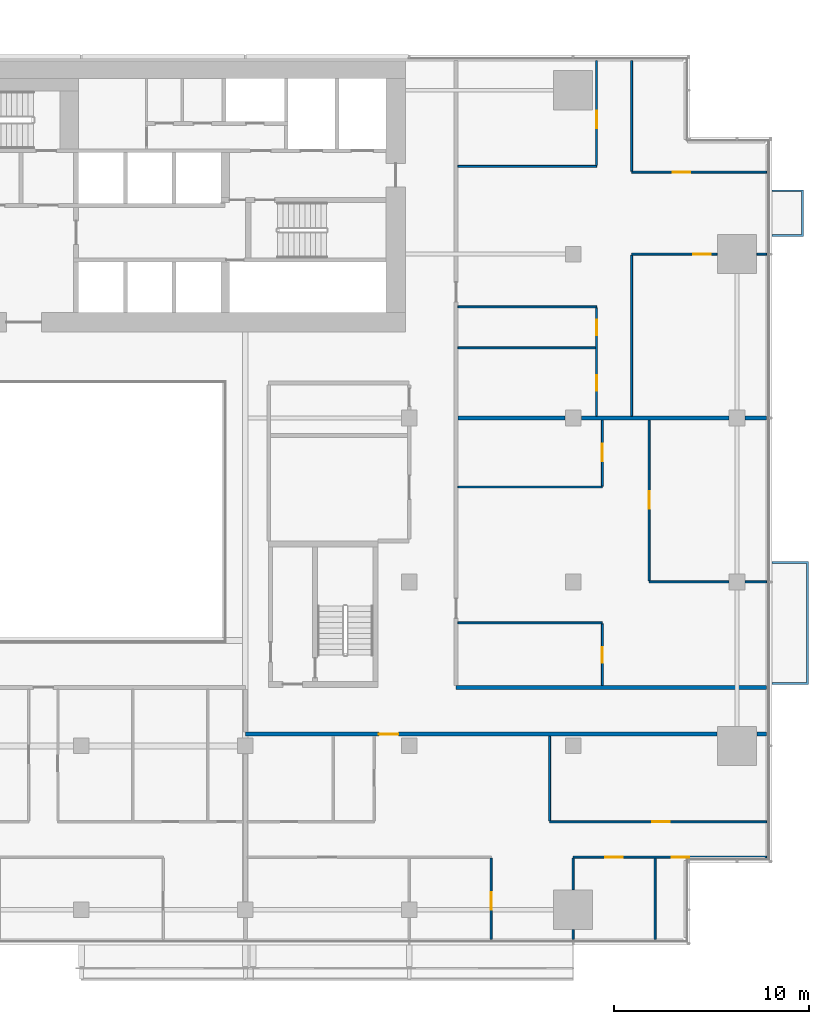
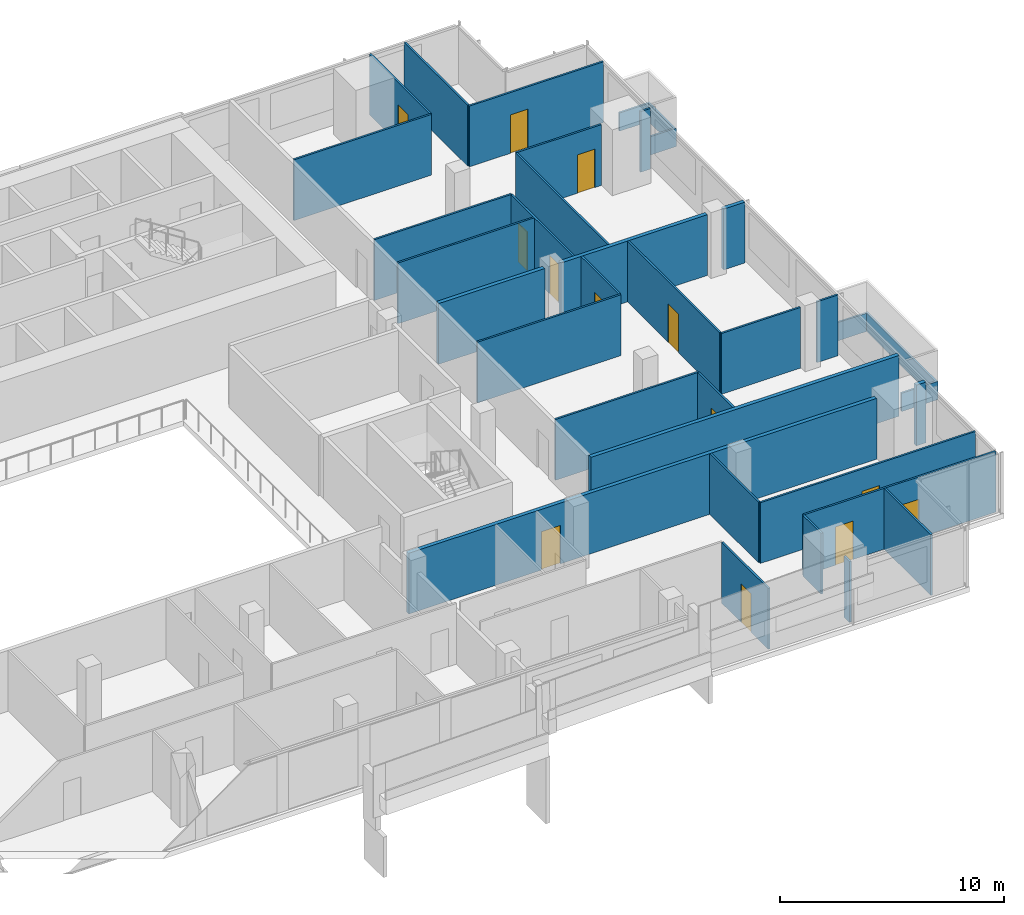
# One storey, part 23 of 27: 32 walls, 13 doors, 13 openings.
"""IFC4 building model written with IfcOpenShell, lengths in metres."""

from ifc_helpers import new_model, si_unit, direction, frame, frame_2d, origin, place, context, subcontext, project, spatial, polyline, rectangle, outline, extrude, material, layer, layer_set, type_object, element, fill, save


model = new_model("IFC4")

# Units and contexts
model_context = context("Model", 3, precision=1e-05, world=origin(), true_north=direction((0.0, 1.0)))
body_context = subcontext(model_context, "Body", "Model", "MODEL_VIEW")
ifc_project = project(units=[si_unit("LENGTHUNIT", "METRE"), si_unit("AREAUNIT", "SQUARE_METRE"), si_unit("VOLUMEUNIT", "CUBIC_METRE"), si_unit("PLANEANGLEUNIT", "RADIAN"), si_unit("MASSUNIT", "GRAM", prefix="KILO")], contexts=[model_context])

# Site, building, storey
site_placement = place(None, origin())
site = spatial("IfcSite", under=ifc_project, at=site_placement, CompositionType="ELEMENT")
building_placement = place(site_placement, origin())
building = spatial("IfcBuilding", under=site, at=building_placement, Name="Saffron Gate Tower", CompositionType="ELEMENT")
storey_placement = place(building_placement, frame((0.0, 0.0, 124.050048828125)))
storey = spatial("IfcBuildingStorey", under=building, at=storey_placement, Name="L29", CompositionType="ELEMENT", Elevation=124.050048828125)

# Wall, openings, doors
ifc_material_1 = material(Name="Plasterboard on steel studs", Category="steel")
ifc_layer_1 = layer(ifc_material_1, 0.10009765625)
ifc_layer_set_1 = layer_set([ifc_layer_1], Name="PW1 Partition 100")
wall_type_1 = type_object("IfcWallType", Name="PW1 Partition 100", PredefinedType="PARTITIONING", material=ifc_layer_set_1)
wall_1_placement = place(storey_placement, frame((126.919921875, 34.5, 0.0), z_axis=(0.0, 0.0, 1.0), x_axis=(-1.0, 0.0, 0.0)))
wall_1 = element("IfcWall", 1, at=wall_1_placement, inside=storey, type_object=wall_type_1, Name="Partition B3-4", PredefinedType="PARTITIONING", context=body_context, shape_type="SweptSolid", body=[
    extrude(rectangle(XDim=9.919921875, YDim=0.10009765625, at=frame_2d((4.9599609375, 0.0))), origin(), (0.0, 0.0, 1.0), 3.320068359375),
])
opening_1_placement = place(wall_1_placement, frame((3.96630859375, 0.0, 0.0)))
opening_1 = element("IfcOpeningElement", 2, at=opening_1_placement, cuts=wall_1, Name="Opening B3-20", PredefinedType="OPENING", context=body_context, shape_type="SweptSolid", body=[
    extrude(rectangle(XDim=0.89990234375, YDim=2.10009765625, at=frame_2d((0.449951171875, 1.050048828125))), frame((0.0, 0.06005859375, 0.0), z_axis=(0.0, -1.0, 0.0), x_axis=(1.0, 0.0, 0.0)), (0.0, 0.0, 1.0), 0.1201171875),
])
opening_2_placement = place(wall_1_placement, frame((7.3701171875, 0.0, 0.0)))
opening_2 = element("IfcOpeningElement", 3, at=opening_2_placement, cuts=wall_1, Name="Opening B3-19", PredefinedType="OPENING", context=body_context, shape_type="SweptSolid", body=[
    extrude(rectangle(XDim=0.89990234375, YDim=2.10009765625, at=frame_2d((0.449951171875, 1.050048828125))), frame((0.0, 0.06005859375, 0.0), z_axis=(0.0, -1.0, 0.0), x_axis=(1.0, 0.0, 0.0)), (0.0, 0.0, 1.0), 0.1201171875),
])
ifc_material_2 = material(Name="Timber door set", Category="wood")
door_type_1 = type_object("IfcDoorType", Name="RD1 Room door 900x2100", OperationType="NOTDEFINED", PredefinedType="DOOR", material=ifc_material_2)
door_1_placement = place(opening_1_placement, origin())
door_1 = element("IfcDoor", 4, at=door_1_placement, inside=storey, type_object=door_type_1, Name="Door B3-20", OperationType="SINGLE_SWING_RIGHT", OverallHeight=2.10009765625, OverallWidth=0.89990234375, PredefinedType="DOOR", context=body_context, shape_type="SweptSolid", body=[
    extrude(rectangle(XDim=0.89990234375, YDim=2.10009765625, at=frame_2d((0.449951171875, 1.050048828125))), frame((0.0, 0.02490234375, 0.0), z_axis=(0.0, -1.0, 0.0), x_axis=(1.0, 0.0, 0.0)), (0.0, 0.0, 1.0), 0.050048828125),
])
fill(opening_1, door_1)
door_2_placement = place(opening_2_placement, origin())
door_2 = element("IfcDoor", 5, at=door_2_placement, inside=storey, type_object=door_type_1, Name="Door B3-19", OperationType="SINGLE_SWING_RIGHT", OverallHeight=2.10009765625, OverallWidth=0.89990234375, PredefinedType="DOOR", context=body_context, shape_type="SweptSolid", body=[
    extrude(rectangle(XDim=0.89990234375, YDim=2.10009765625, at=frame_2d((0.449951171875, 1.050048828125))), frame((0.0, 0.02490234375, 0.0), z_axis=(0.0, -1.0, 0.0), x_axis=(1.0, 0.0, 0.0)), (0.0, 0.0, 1.0), 0.050048828125),
])
fill(opening_2, door_2)

# Wall, opening, door
wall_2_placement = place(storey_placement, frame((115.800048828125, 36.300048828125, 0.0), z_axis=(0.0, 0.0, 1.0), x_axis=(1.0, 0.0, 0.0)))
wall_2 = element("IfcWall", 6, at=wall_2_placement, inside=storey, type_object=wall_type_1, Name="Partition B3-8", PredefinedType="PARTITIONING", context=body_context, shape_type="SweptSolid", body=[
    extrude(rectangle(XDim=11.119873046875, YDim=0.10009765625, at=frame_2d((5.56005859375, 0.0))), origin(), (0.0, 0.0, 1.0), 3.320068359375),
])
opening_3_placement = place(wall_2_placement, frame((5.25, 0.0, 0.0)))
opening_3 = element("IfcOpeningElement", 7, at=opening_3_placement, cuts=wall_2, Name="Opening B3-21", PredefinedType="OPENING", context=body_context, shape_type="SweptSolid", body=[
    extrude(rectangle(XDim=0.89990234375, YDim=2.10009765625, at=frame_2d((0.449951171875, 1.050048828125))), frame((0.0, 0.06005859375, 0.0), z_axis=(0.0, -1.0, 0.0), x_axis=(1.0, 0.0, 0.0)), (0.0, 0.0, 1.0), 0.1201171875),
])
door_3_placement = place(opening_3_placement, origin())
door_3 = element("IfcDoor", 8, at=door_3_placement, inside=storey, type_object=door_type_1, Name="Door B3-21", OperationType="SINGLE_SWING_RIGHT", OverallHeight=2.10009765625, OverallWidth=0.89990234375, PredefinedType="DOOR", context=body_context, shape_type="SweptSolid", body=[
    extrude(rectangle(XDim=0.89990234375, YDim=2.10009765625, at=frame_2d((0.449951171875, 1.050048828125))), frame((0.0, 0.02490234375, 0.0), z_axis=(0.0, -1.0, 0.0), x_axis=(1.0, 0.0, 0.0)), (0.0, 0.0, 1.0), 0.050048828125),
])
fill(opening_3, door_3)

# Walls
wall_3_placement = place(storey_placement, frame((111.10009765625, 46.5, 0.0), z_axis=(0.0, 0.0, 1.0), x_axis=(1.0, 0.0, 0.0)))
element("IfcWall", 9, at=wall_3_placement, inside=storey, type_object=wall_type_1, Name="Partition B3-17", PredefinedType="PARTITIONING", context=body_context, shape_type="SweptSolid", body=[
    extrude(rectangle(XDim=7.39990234375, YDim=0.10009765625, at=frame_2d((3.699951171875, 0.0))), origin(), (0.0, 0.0, 1.0), 3.320068359375),
])
wall_4_placement = place(storey_placement, frame((120.89990234375, 48.60009765625, 0.0), z_axis=(0.0, 0.0, 1.0), x_axis=(1.0, 0.0, 0.0)))
element("IfcWall", 10, at=wall_4_placement, inside=storey, type_object=wall_type_1, Name="Partition B3-20", PredefinedType="PARTITIONING", context=body_context, shape_type="SweptSolid", body=[
    extrude(rectangle(XDim=4.080078125, YDim=0.10009765625, at=frame_2d((2.0400390625, 0.0))), origin(), (0.0, 0.0, 1.0), 3.320068359375),
])
wall_5_placement = place(storey_placement, frame((125.820068359375, 48.60009765625, 0.0), z_axis=(0.0, 0.0, 1.0), x_axis=(1.0, 0.0, 0.0)))
element("IfcWall", 11, at=wall_5_placement, inside=storey, type_object=wall_type_1, Name="Partition B3-21", PredefinedType="PARTITIONING", context=body_context, shape_type="SweptSolid", body=[
    extrude(rectangle(XDim=1.099853515625, YDim=0.10009765625, at=frame_2d((0.5498046875, 0.0))), origin(), (0.0, 0.0, 1.0), 3.320068359375),
])
wall_6_placement = place(storey_placement, frame((111.10009765625, 53.466796875, 0.0), z_axis=(0.0, 0.0, 1.0), x_axis=(1.0, 0.0, 0.0)))
element("IfcWall", 12, at=wall_6_placement, inside=storey, type_object=wall_type_1, Name="Partition B3-26", PredefinedType="PARTITIONING", context=body_context, shape_type="SweptSolid", body=[
    extrude(rectangle(XDim=7.39990234375, YDim=0.10009765625, at=frame_2d((3.699951171875, 0.0))), origin(), (0.0, 0.0, 1.0), 3.320068359375),
])
wall_7_placement = place(storey_placement, frame((111.10009765625, 60.60009765625, 0.0), z_axis=(0.0, 0.0, 1.0), x_axis=(1.0, 0.0, 0.0)))
element("IfcWall", 13, at=wall_7_placement, inside=storey, type_object=wall_type_1, Name="Partition B3-36", PredefinedType="PARTITIONING", context=body_context, shape_type="SweptSolid", body=[
    extrude(rectangle(XDim=7.0498046875, YDim=0.10009765625, at=frame_2d((3.52490234375, 0.0))), origin(), (0.0, 0.0, 1.0), 3.320068359375),
])
wall_8_placement = place(storey_placement, frame((111.10009765625, 62.699951171875, 0.0), z_axis=(0.0, 0.0, 1.0), x_axis=(1.0, 0.0, 0.0)))
element("IfcWall", 14, at=wall_8_placement, inside=storey, type_object=wall_type_1, Name="Partition B3-37", PredefinedType="PARTITIONING", context=body_context, shape_type="SweptSolid", body=[
    extrude(rectangle(XDim=7.099853515625, YDim=0.10009765625, at=frame_2d((3.5498046875, 0.0))), origin(), (0.0, 0.0, 1.0), 3.320068359375),
])

# Wall, opening, door
wall_9_placement = place(storey_placement, frame((124.3798828125, 65.39990234375, 0.0), z_axis=(0.0, 0.0, 1.0), x_axis=(-1.0, 0.0, 0.0)))
wall_9 = element("IfcWall", 15, at=wall_9_placement, inside=storey, type_object=wall_type_1, Name="Partition B3-41", PredefinedType="PARTITIONING", context=body_context, shape_type="SweptSolid", body=[
    extrude(rectangle(XDim=4.3798828125, YDim=0.10009765625, at=frame_2d((2.18994140625, 0.0))), origin(), (0.0, 0.0, 1.0), 3.320068359375),
])
opening_4_placement = place(wall_9_placement, frame((0.330078125, 0.0, 0.0)))
opening_4 = element("IfcOpeningElement", 16, at=opening_4_placement, cuts=wall_9, Name="Opening B3-28", PredefinedType="OPENING", context=body_context, shape_type="SweptSolid", body=[
    extrude(rectangle(XDim=0.89990234375, YDim=2.10009765625, at=frame_2d((0.449951171875, 1.050048828125))), frame((0.0, 0.06005859375, 0.0), z_axis=(0.0, -1.0, 0.0), x_axis=(1.0, 0.0, 0.0)), (0.0, 0.0, 1.0), 0.1201171875),
])
door_4_placement = place(opening_4_placement, origin())
door_4 = element("IfcDoor", 17, at=door_4_placement, inside=storey, type_object=door_type_1, Name="Door B3-28", OperationType="SINGLE_SWING_LEFT", OverallHeight=2.10009765625, OverallWidth=0.89990234375, PredefinedType="DOOR", context=body_context, shape_type="SweptSolid", body=[
    extrude(rectangle(XDim=0.89990234375, YDim=2.10009765625, at=frame_2d((0.449951171875, 1.050048828125))), frame((0.0, 0.02490234375, 0.0), z_axis=(0.0, -1.0, 0.0), x_axis=(1.0, 0.0, 0.0)), (0.0, 0.0, 1.0), 0.050048828125),
])
fill(opening_4, door_4)

# Wall
wall_10_placement = place(storey_placement, frame((126.419921875, 65.39990234375, 0.0), z_axis=(0.0, 0.0, 1.0), x_axis=(1.0, 0.0, 0.0)))
element("IfcWall", 18, at=wall_10_placement, inside=storey, type_object=wall_type_1, Name="Partition B3-42", PredefinedType="PARTITIONING", context=body_context, shape_type="SweptSolid", body=[
    extrude(rectangle(XDim=0.5, YDim=0.10009765625, at=frame_2d((0.25, 0.0))), origin(), (0.0, 0.0, 1.0), 3.320068359375),
])

# Wall, opening, door
wall_11_placement = place(storey_placement, frame((120.0, 69.60009765625, 0.0), z_axis=(0.0, 0.0, 1.0), x_axis=(1.0, 0.0, 0.0)))
wall_11 = element("IfcWall", 19, at=wall_11_placement, inside=storey, type_object=wall_type_1, Name="Partition B3-45", PredefinedType="PARTITIONING", context=body_context, shape_type="SweptSolid", body=[
    extrude(rectangle(XDim=6.919921875, YDim=0.10009765625, at=frame_2d((3.4599609375, 0.0))), origin(), (0.0, 0.0, 1.0), 3.320068359375),
])
opening_5_placement = place(wall_11_placement, frame((2.11474609375, 0.0, 0.0)))
opening_5 = element("IfcOpeningElement", 20, at=opening_5_placement, cuts=wall_11, Name="Opening B3-29", PredefinedType="OPENING", context=body_context, shape_type="SweptSolid", body=[
    extrude(rectangle(XDim=0.89990234375, YDim=2.10009765625, at=frame_2d((0.449951171875, 1.050048828125))), frame((0.0, 0.06005859375, 0.0), z_axis=(0.0, -1.0, 0.0), x_axis=(1.0, 0.0, 0.0)), (0.0, 0.0, 1.0), 0.1201171875),
])
door_5_placement = place(opening_5_placement, origin())
door_5 = element("IfcDoor", 21, at=door_5_placement, inside=storey, type_object=door_type_1, Name="Door B3-29", OperationType="SINGLE_SWING_LEFT", OverallHeight=2.10009765625, OverallWidth=0.89990234375, PredefinedType="DOOR", context=body_context, shape_type="SweptSolid", body=[
    extrude(rectangle(XDim=0.89990234375, YDim=2.10009765625, at=frame_2d((0.449951171875, 1.050048828125))), frame((0.0, 0.02490234375, 0.0), z_axis=(0.0, -1.0, 0.0), x_axis=(1.0, 0.0, 0.0)), (0.0, 0.0, 1.0), 0.050048828125),
])
fill(opening_5, door_5)

# Wall
wall_12_placement = place(storey_placement, frame((111.10009765625, 69.894287109375, 0.0), z_axis=(0.0, 0.0, 1.0), x_axis=(1.0, 0.0, 0.0)))
element("IfcWall", 22, at=wall_12_placement, inside=storey, type_object=wall_type_1, Name="Partition B3-46", PredefinedType="PARTITIONING", context=body_context, shape_type="SweptSolid", body=[
    extrude(rectangle(XDim=7.099853515625, YDim=0.10009765625, at=frame_2d((3.5498046875, 0.0))), origin(), (0.0, 0.0, 1.0), 3.320068359375),
])

# Wall, opening, door
wall_13_placement = place(storey_placement, frame((112.800048828125, 30.280029296875, 0.0), z_axis=(0.0, 0.0, 1.0), x_axis=(0.0, 1.0, 0.0)))
wall_13 = element("IfcWall", 23, at=wall_13_placement, inside=storey, type_object=wall_type_1, Name="Partition B3-86", PredefinedType="PARTITIONING", context=body_context, shape_type="SweptSolid", body=[
    extrude(rectangle(XDim=4.169921875, YDim=0.10009765625, at=frame_2d((2.0849609375, 0.0))), origin(), (0.0, 0.0, 1.0), 3.320068359375),
])
opening_6_placement = place(wall_13_placement, frame((1.52001953125, 0.0, 0.0)))
opening_6 = element("IfcOpeningElement", 24, at=opening_6_placement, cuts=wall_13, Name="Opening B3-18", PredefinedType="OPENING", context=body_context, shape_type="SweptSolid", body=[
    extrude(rectangle(XDim=0.89990234375, YDim=2.10009765625, at=frame_2d((0.449951171875, 1.050048828125))), frame((0.0, 0.06005859375, 0.0), z_axis=(0.0, -1.0, 0.0), x_axis=(1.0, 0.0, 0.0)), (0.0, 0.0, 1.0), 0.1201171875),
])
door_6_placement = place(opening_6_placement, origin())
door_6 = element("IfcDoor", 25, at=door_6_placement, inside=storey, type_object=door_type_1, Name="Door B3-18", OperationType="SINGLE_SWING_LEFT", OverallHeight=2.10009765625, OverallWidth=0.89990234375, PredefinedType="DOOR", context=body_context, shape_type="SweptSolid", body=[
    extrude(rectangle(XDim=0.89990234375, YDim=2.10009765625, at=frame_2d((0.449951171875, 1.050048828125))), frame((0.0, 0.02490234375, 0.0), z_axis=(0.0, -1.0, 0.0), x_axis=(1.0, 0.0, 0.0)), (0.0, 0.0, 1.0), 0.050048828125),
])
fill(opening_6, door_6)

# Walls
wall_14_placement = place(storey_placement, frame((115.800048828125, 40.699951171875, 0.0), z_axis=(0.0, 0.0, 1.0), x_axis=(0.0, -1.0, 0.0)))
element("IfcWall", 26, at=wall_14_placement, inside=storey, type_object=wall_type_1, Name="Partition B3-87", PredefinedType="PARTITIONING", context=body_context, shape_type="SweptSolid", body=[
    extrude(rectangle(XDim=4.349853515625, YDim=0.10009765625, at=frame_2d((2.1748046875, 0.0))), origin(), (0.0, 0.0, 1.0), 3.320068359375),
])
wall_15_placement = place(storey_placement, frame((117.0, 30.780029296875, 0.0), z_axis=(0.0, 0.0, 1.0), x_axis=(0.0, -1.0, 0.0)))
element("IfcWall", 27, at=wall_15_placement, inside=storey, type_object=wall_type_1, Name="Partition B3-88", PredefinedType="PARTITIONING", context=body_context, shape_type="SweptSolid", body=[
    extrude(rectangle(XDim=0.5, YDim=0.10009765625, at=frame_2d((0.25, 0.0))), origin(), (0.0, 0.0, 1.0), 3.320068359375),
])
wall_16_placement = place(storey_placement, frame((117.0, 34.449951171875, 0.0), z_axis=(0.0, 0.0, 1.0), x_axis=(0.0, -1.0, 0.0)))
element("IfcWall", 28, at=wall_16_placement, inside=storey, type_object=wall_type_1, Name="Partition B3-89", PredefinedType="PARTITIONING", context=body_context, shape_type="SweptSolid", body=[
    extrude(rectangle(XDim=1.6298828125, YDim=0.10009765625, at=frame_2d((0.81494140625, 0.0))), origin(), (0.0, 0.0, 1.0), 3.320068359375),
])

# Wall, openings, doors
wall_17_placement = place(storey_placement, frame((118.199951171875, 57.10009765625, 0.0), z_axis=(0.0, 0.0, 1.0), x_axis=(0.0, 1.0, 0.0)))
wall_17 = element("IfcWall", 29, at=wall_17_placement, inside=storey, type_object=wall_type_1, Name="Partition B3-90", PredefinedType="PARTITIONING", context=body_context, shape_type="SweptSolid", body=[
    extrude(rectangle(XDim=5.5498046875, YDim=0.10009765625, at=frame_2d((2.77490234375, 0.0))), origin(), (0.0, 0.0, 1.0), 3.320068359375),
])
opening_7_placement = place(wall_17_placement, frame((1.300048828125, 0.0, 0.0)))
opening_7 = element("IfcOpeningElement", 30, at=opening_7_placement, cuts=wall_17, Name="Opening B3-42", PredefinedType="OPENING", context=body_context, shape_type="SweptSolid", body=[
    extrude(rectangle(XDim=0.800048828125, YDim=2.10009765625, at=frame_2d((0.39990234375, 1.050048828125))), frame((0.0, 0.06005859375, 0.0), z_axis=(0.0, -1.0, 0.0), x_axis=(1.0, 0.0, 0.0)), (0.0, 0.0, 1.0), 0.1201171875),
])
opening_8_placement = place(wall_17_placement, frame((4.14990234375, 0.0, 0.0)))
opening_8 = element("IfcOpeningElement", 31, at=opening_8_placement, cuts=wall_17, Name="Opening B3-43", PredefinedType="OPENING", context=body_context, shape_type="SweptSolid", body=[
    extrude(rectangle(XDim=0.800048828125, YDim=2.10009765625, at=frame_2d((0.39990234375, 1.050048828125))), frame((0.0, 0.06005859375, 0.0), z_axis=(0.0, -1.0, 0.0), x_axis=(1.0, 0.0, 0.0)), (0.0, 0.0, 1.0), 0.1201171875),
])
door_type_2 = type_object("IfcDoorType", Name="RD2 Bathroom door 800x2100", OperationType="NOTDEFINED", PredefinedType="DOOR", material=ifc_material_2)
door_7_placement = place(opening_7_placement, origin())
door_7 = element("IfcDoor", 32, at=door_7_placement, inside=storey, type_object=door_type_2, Name="Door B3-42", OperationType="SINGLE_SWING_LEFT", OverallHeight=2.10009765625, OverallWidth=0.800048828125, PredefinedType="DOOR", context=body_context, shape_type="SweptSolid", body=[
    extrude(rectangle(XDim=0.800048828125, YDim=2.10009765625, at=frame_2d((0.39990234375, 1.050048828125))), frame((0.0, 0.02490234375, 0.0), z_axis=(0.0, -1.0, 0.0), x_axis=(1.0, 0.0, 0.0)), (0.0, 0.0, 1.0), 0.050048828125),
])
fill(opening_7, door_7)
door_8_placement = place(opening_8_placement, origin())
door_8 = element("IfcDoor", 33, at=door_8_placement, inside=storey, type_object=door_type_2, Name="Door B3-43", OperationType="SINGLE_SWING_RIGHT", OverallHeight=2.10009765625, OverallWidth=0.800048828125, PredefinedType="DOOR", context=body_context, shape_type="SweptSolid", body=[
    extrude(rectangle(XDim=0.800048828125, YDim=2.10009765625, at=frame_2d((0.39990234375, 1.050048828125))), frame((0.0, 0.02490234375, 0.0), z_axis=(0.0, -1.0, 0.0), x_axis=(1.0, 0.0, 0.0)), (0.0, 0.0, 1.0), 0.050048828125),
])
fill(opening_8, door_8)

# Wall, opening, door
wall_18_placement = place(storey_placement, frame((118.199951171875, 69.9443359375, 0.0), z_axis=(0.0, 0.0, 1.0), x_axis=(0.0, 1.0, 0.0)))
wall_18 = element("IfcWall", 34, at=wall_18_placement, inside=storey, type_object=wall_type_1, Name="Partition B3-91", PredefinedType="PARTITIONING", context=body_context, shape_type="SweptSolid", body=[
    extrude(rectangle(XDim=5.375732421875, YDim=0.10009765625, at=frame_2d((2.68798828125, 0.0))), origin(), (0.0, 0.0, 1.0), 3.320068359375),
])
opening_9_placement = place(wall_18_placement, frame((1.90283203125, 0.0, 0.0)))
opening_9 = element("IfcOpeningElement", 35, at=opening_9_placement, cuts=wall_18, Name="Opening B3-30", PredefinedType="OPENING", context=body_context, shape_type="SweptSolid", body=[
    extrude(rectangle(XDim=0.89990234375, YDim=2.10009765625, at=frame_2d((0.449951171875, 1.050048828125))), frame((0.0, 0.06005859375, 0.0), z_axis=(0.0, -1.0, 0.0), x_axis=(1.0, 0.0, 0.0)), (0.0, 0.0, 1.0), 0.1201171875),
])
door_9_placement = place(opening_9_placement, origin())
door_9 = element("IfcDoor", 36, at=door_9_placement, inside=storey, type_object=door_type_1, Name="Door B3-30", OperationType="SINGLE_SWING_LEFT", OverallHeight=2.10009765625, OverallWidth=0.89990234375, PredefinedType="DOOR", context=body_context, shape_type="SweptSolid", body=[
    extrude(rectangle(XDim=0.89990234375, YDim=2.10009765625, at=frame_2d((0.449951171875, 1.050048828125))), frame((0.0, 0.02490234375, 0.0), z_axis=(0.0, -1.0, 0.0), x_axis=(1.0, 0.0, 0.0)), (0.0, 0.0, 1.0), 0.050048828125),
])
fill(opening_9, door_9)

wall_19_placement = place(storey_placement, frame((118.5, 43.300048828125, 0.0), z_axis=(0.0, 0.0, 1.0), x_axis=(0.0, 1.0, 0.0)))
wall_19 = element("IfcWall", 37, at=wall_19_placement, inside=storey, type_object=wall_type_1, Name="Partition B3-92", PredefinedType="PARTITIONING", context=body_context, shape_type="SweptSolid", body=[
    extrude(rectangle(XDim=3.14990234375, YDim=0.10009765625, at=frame_2d((1.574951171875, 0.0))), origin(), (0.0, 0.0, 1.0), 3.320068359375),
])
opening_10_placement = place(wall_19_placement, frame((1.14990234375, 0.0, 0.0)))
opening_10 = element("IfcOpeningElement", 38, at=opening_10_placement, cuts=wall_19, Name="Opening B3-41", PredefinedType="OPENING", context=body_context, shape_type="SweptSolid", body=[
    extrude(rectangle(XDim=0.800048828125, YDim=2.10009765625, at=frame_2d((0.39990234375, 1.050048828125))), frame((0.0, 0.06005859375, 0.0), z_axis=(0.0, -1.0, 0.0), x_axis=(1.0, 0.0, 0.0)), (0.0, 0.0, 1.0), 0.1201171875),
])
door_10_placement = place(opening_10_placement, origin())
door_10 = element("IfcDoor", 39, at=door_10_placement, inside=storey, type_object=door_type_2, Name="Door B3-41", OperationType="SINGLE_SWING_LEFT", OverallHeight=2.10009765625, OverallWidth=0.800048828125, PredefinedType="DOOR", context=body_context, shape_type="SweptSolid", body=[
    extrude(rectangle(XDim=0.800048828125, YDim=2.10009765625, at=frame_2d((0.39990234375, 1.050048828125))), frame((0.0, 0.02490234375, 0.0), z_axis=(0.0, -1.0, 0.0), x_axis=(1.0, 0.0, 0.0)), (0.0, 0.0, 1.0), 0.050048828125),
])
fill(opening_10, door_10)

wall_20_placement = place(storey_placement, frame((118.5, 53.5166015625, 0.0), z_axis=(0.0, 0.0, 1.0), x_axis=(0.0, 1.0, 0.0)))
wall_20 = element("IfcWall", 40, at=wall_20_placement, inside=storey, type_object=wall_type_1, Name="Partition B3-93", PredefinedType="PARTITIONING", context=body_context, shape_type="SweptSolid", body=[
    extrude(rectangle(XDim=3.38330078125, YDim=0.10009765625, at=frame_2d((1.691650390625, 0.0))), origin(), (0.0, 0.0, 1.0), 3.320068359375),
])
opening_11_placement = place(wall_20_placement, frame((1.2666015625, 0.0, 0.0)))
opening_11 = element("IfcOpeningElement", 41, at=opening_11_placement, cuts=wall_20, Name="Opening B3-27", PredefinedType="OPENING", context=body_context, shape_type="SweptSolid", body=[
    extrude(rectangle(XDim=0.89990234375, YDim=2.10009765625, at=frame_2d((0.449951171875, 1.050048828125))), frame((0.0, 0.06005859375, 0.0), z_axis=(0.0, -1.0, 0.0), x_axis=(1.0, 0.0, 0.0)), (0.0, 0.0, 1.0), 0.1201171875),
])
door_11_placement = place(opening_11_placement, origin())
door_11 = element("IfcDoor", 42, at=door_11_placement, inside=storey, type_object=door_type_1, Name="Door B3-27", OperationType="SINGLE_SWING_RIGHT", OverallHeight=2.10009765625, OverallWidth=0.89990234375, PredefinedType="DOOR", context=body_context, shape_type="SweptSolid", body=[
    extrude(rectangle(XDim=0.89990234375, YDim=2.10009765625, at=frame_2d((0.449951171875, 1.050048828125))), frame((0.0, 0.02490234375, 0.0), z_axis=(0.0, -1.0, 0.0), x_axis=(1.0, 0.0, 0.0)), (0.0, 0.0, 1.0), 0.050048828125),
])
fill(opening_11, door_11)

# Walls
wall_21_placement = place(storey_placement, frame((120.0, 65.35009765625, 0.0), z_axis=(0.0, 0.0, 1.0), x_axis=(0.0, -1.0, 0.0)))
element("IfcWall", 43, at=wall_21_placement, inside=storey, type_object=wall_type_1, Name="Partition B3-94", PredefinedType="PARTITIONING", context=body_context, shape_type="SweptSolid", body=[
    extrude(rectangle(XDim=8.25, YDim=0.10009765625, at=frame_2d((4.125, 0.0))), origin(), (0.0, 0.0, 1.0), 3.320068359375),
])
wall_22_placement = place(storey_placement, frame((120.0, 75.320068359375, 0.0), z_axis=(0.0, 0.0, 1.0), x_axis=(0.0, -1.0, 0.0)))
element("IfcWall", 44, at=wall_22_placement, inside=storey, type_object=wall_type_1, Name="Partition B3-95", PredefinedType="PARTITIONING", context=body_context, shape_type="SweptSolid", body=[
    extrude(rectangle(XDim=5.670166015625, YDim=0.10009765625, at=frame_2d((2.8349609375, 0.0))), origin(), (0.0, 0.0, 1.0), 3.320068359375),
])

# Wall, opening, door
wall_23_placement = place(storey_placement, frame((120.89990234375, 56.89990234375, 0.0), z_axis=(0.0, 0.0, 1.0), x_axis=(0.0, -1.0, 0.0)))
wall_23 = element("IfcWall", 45, at=wall_23_placement, inside=storey, type_object=wall_type_1, Name="Partition B3-96", PredefinedType="PARTITIONING", context=body_context, shape_type="SweptSolid", body=[
    extrude(rectangle(XDim=8.25, YDim=0.10009765625, at=frame_2d((4.125, 0.0))), origin(), (0.0, 0.0, 1.0), 3.320068359375),
])
opening_12_placement = place(wall_23_placement, frame((3.64990234375, 0.0, 0.0)))
opening_12 = element("IfcOpeningElement", 46, at=opening_12_placement, cuts=wall_23, Name="Opening B3-26", PredefinedType="OPENING", context=body_context, shape_type="SweptSolid", body=[
    extrude(rectangle(XDim=0.89990234375, YDim=2.10009765625, at=frame_2d((0.449951171875, 1.050048828125))), frame((0.0, 0.06005859375, 0.0), z_axis=(0.0, -1.0, 0.0), x_axis=(1.0, 0.0, 0.0)), (0.0, 0.0, 1.0), 0.1201171875),
])
door_12_placement = place(opening_12_placement, origin())
door_12 = element("IfcDoor", 47, at=door_12_placement, inside=storey, type_object=door_type_1, Name="Door B3-26", OperationType="SINGLE_SWING_LEFT", OverallHeight=2.10009765625, OverallWidth=0.89990234375, PredefinedType="DOOR", context=body_context, shape_type="SweptSolid", body=[
    extrude(rectangle(XDim=0.89990234375, YDim=2.10009765625, at=frame_2d((0.449951171875, 1.050048828125))), frame((0.0, 0.02490234375, 0.0), z_axis=(0.0, -1.0, 0.0), x_axis=(1.0, 0.0, 0.0)), (0.0, 0.0, 1.0), 0.050048828125),
])
fill(opening_12, door_12)

# Walls
wall_24_placement = place(storey_placement, frame((121.199951171875, 34.449951171875, 0.0), z_axis=(0.0, 0.0, 1.0), x_axis=(0.0, -1.0, 0.0)))
element("IfcWall", 48, at=wall_24_placement, inside=storey, type_object=wall_type_1, Name="Partition B3-97", PredefinedType="PARTITIONING", context=body_context, shape_type="SweptSolid", body=[
    extrude(rectangle(XDim=4.169921875, YDim=0.10009765625, at=frame_2d((2.0849609375, 0.0))), origin(), (0.0, 0.0, 1.0), 3.320068359375),
])
ifc_material_3 = material(Name="Clay brick masonry, rendered", Category="masonry")
ifc_layer_2 = layer(ifc_material_3, 0.199951171875)
ifc_layer_set_2 = layer_set([ifc_layer_2], Name="PW2 Demising wall 200")
wall_type_2 = type_object("IfcWallType", Name="PW2 Demising wall 200", PredefinedType="PARTITIONING", material=ifc_layer_set_2)
wall_25_placement = place(storey_placement, frame((111.10009765625, 57.0, 0.0), z_axis=(0.0, 0.0, 1.0), x_axis=(1.0, 0.0, 0.0)))
element("IfcWall", 49, at=wall_25_placement, inside=storey, type_object=wall_type_2, Name="Wall B3-29", PredefinedType="PARTITIONING", context=body_context, shape_type="SweptSolid", body=[
    extrude(rectangle(XDim=5.47998046875, YDim=0.199951171875, at=frame_2d((2.739990234375, 0.0))), origin(), (0.0, 0.0, 1.0), 3.320068359375),
])
wall_26_placement = place(storey_placement, frame((117.419921875, 57.0, 0.0), z_axis=(0.0, 0.0, 1.0), x_axis=(1.0, 0.0, 0.0)))
element("IfcWall", 50, at=wall_26_placement, inside=storey, type_object=wall_type_2, Name="Wall B3-30", PredefinedType="PARTITIONING", context=body_context, shape_type="SweptSolid", body=[
    extrude(rectangle(XDim=7.56005859375, YDim=0.199951171875, at=frame_2d((3.780029296875, 0.0))), origin(), (0.0, 0.0, 1.0), 3.320068359375),
])
wall_27_placement = place(storey_placement, frame((125.820068359375, 57.0, 0.0), z_axis=(0.0, 0.0, 1.0), x_axis=(1.0, 0.0, 0.0)))
element("IfcWall", 51, at=wall_27_placement, inside=storey, type_object=wall_type_2, Name="Wall B3-31", PredefinedType="PARTITIONING", context=body_context, shape_type="SweptSolid", body=[
    extrude(rectangle(XDim=1.099853515625, YDim=0.199951171875, at=frame_2d((0.5498046875, 0.0))), origin(), (0.0, 0.0, 1.0), 3.320068359375),
])

# Wall, opening, door
ifc_layer_3 = layer(ifc_material_3, 0.199951171875)
ifc_layer_set_3 = layer_set([ifc_layer_3], Name="PW3 Corridor wall 200")
wall_type_3 = type_object("IfcWallType", Name="PW3 Corridor wall 200", PredefinedType="PARTITIONING", material=ifc_layer_set_3)
wall_28_placement = place(storey_placement, frame((124.3798828125, 40.800048828125, 0.0), z_axis=(0.0, 0.0, 1.0), x_axis=(-1.0, 0.0, 0.0)))
wall_28 = element("IfcWall", 52, at=wall_28_placement, inside=storey, type_object=wall_type_3, Name="Wall B3-11", PredefinedType="PARTITIONING", context=body_context, shape_type="SweptSolid", body=[
    extrude(rectangle(XDim=24.179931640625, YDim=0.199951171875, at=frame_2d((12.08984375, 0.0))), origin(), (0.0, 0.0, 1.0), 3.320068359375),
])
opening_13_placement = place(wall_28_placement, frame((16.330078125, 0.0, 0.0)))
opening_13 = element("IfcOpeningElement", 53, at=opening_13_placement, cuts=wall_28, Name="Opening B3-3", PredefinedType="OPENING", context=body_context, shape_type="SweptSolid", body=[
    extrude(rectangle(XDim=1.0, YDim=2.10009765625, at=frame_2d((0.5, 1.050048828125))), frame((0.0, 0.10986328125, 0.0), z_axis=(0.0, -1.0, 0.0), x_axis=(1.0, 0.0, 0.0)), (0.0, 0.0, 1.0), 0.219970703125),
])
ifc_material_4 = material(Name="Timber fire door set", Category="wood")
door_type_3 = type_object("IfcDoorType", Name="FD1 Flat entry door 1000x2100", OperationType="NOTDEFINED", PredefinedType="DOOR", material=ifc_material_4)
door_13_placement = place(opening_13_placement, origin())
door_13 = element("IfcDoor", 54, at=door_13_placement, inside=storey, type_object=door_type_3, Name="Door B3-3", OperationType="SINGLE_SWING_RIGHT", OverallHeight=2.10009765625, OverallWidth=1.0, PredefinedType="DOOR", context=body_context, shape_type="SweptSolid", body=[
    extrude(rectangle(XDim=1.0, YDim=2.10009765625, at=frame_2d((0.5, 1.050048828125))), frame((0.0, 0.02490234375, 0.0), z_axis=(0.0, -1.0, 0.0), x_axis=(1.0, 0.0, 0.0)), (0.0, 0.0, 1.0), 0.050048828125),
])
fill(opening_13, door_13)

# Walls
wall_29_placement = place(storey_placement, frame((126.419921875, 40.800048828125, 0.0), z_axis=(0.0, 0.0, 1.0), x_axis=(1.0, 0.0, 0.0)))
element("IfcWall", 55, at=wall_29_placement, inside=storey, type_object=wall_type_3, Name="Wall B3-12", PredefinedType="PARTITIONING", context=body_context, shape_type="SweptSolid", body=[
    extrude(rectangle(XDim=0.5, YDim=0.199951171875, at=frame_2d((0.25, 0.0))), origin(), (0.0, 0.0, 1.0), 3.320068359375),
])
wall_30_placement = place(storey_placement, frame((111.0, 43.199951171875, 0.0), z_axis=(0.0, 0.0, 1.0), x_axis=(1.0, 0.0, 0.0)))
element("IfcWall", 56, at=wall_30_placement, inside=storey, type_object=wall_type_3, Name="Wall B3-15", PredefinedType="PARTITIONING", context=body_context, shape_type="SweptSolid", body=[
    extrude(rectangle(XDim=15.919921875, YDim=0.199951171875, at=frame_2d((7.9599609375, 0.0))), origin(), (0.0, 0.0, 1.0), 3.320068359375),
])
ifc_material_5 = material(Name="Rendered insulated panel, white")
ifc_layer_4 = layer(ifc_material_5, 0.10009765625)
ifc_layer_set_4 = layer_set([ifc_layer_4], Name="WB3 box parapet white")
wall_type_4 = type_object("IfcWallType", Name="WB3 box parapet white", PredefinedType="SOLIDWALL", material=ifc_layer_set_4)
wall_31_placement = place(storey_placement, origin())
element("IfcWall", 57, at=wall_31_placement, inside=storey, type_object=wall_type_4, Name="WINDOW BOX parapet", PredefinedType="SOLIDWALL", context=body_context, shape_type="SweptSolid", body=[
    extrude(outline(polyline([(127.199951171875, 43.35009765625), (127.199951171875, 43.449951171875), (128.967041015625, 43.449951171875), (128.967041015625, 49.550048828125), (127.199951171875, 49.550048828125), (127.199951171875, 49.64990234375), (129.06689453125, 49.64990234375), (129.06689453125, 43.35009765625), (127.199951171875, 43.35009765625)])), origin(), (0.0, 0.0, 1.0), 1.0),
])
wall_32_placement = place(storey_placement, origin())
element("IfcWall", 58, at=wall_32_placement, inside=storey, type_object=wall_type_4, Name="WINDOW BOX parapet", PredefinedType="SOLIDWALL", context=body_context, shape_type="SweptSolid", body=[
    extrude(outline(polyline([(127.199951171875, 66.300048828125), (127.199951171875, 66.39990234375), (128.699951171875, 66.39990234375), (128.699951171875, 68.60009765625), (127.199951171875, 68.60009765625), (127.199951171875, 68.699951171875), (128.800048828125, 68.699951171875), (128.800048828125, 66.300048828125), (127.199951171875, 66.300048828125)])), origin(), (0.0, 0.0, 1.0), 1.0),
])

save(model, "model.ifc")
